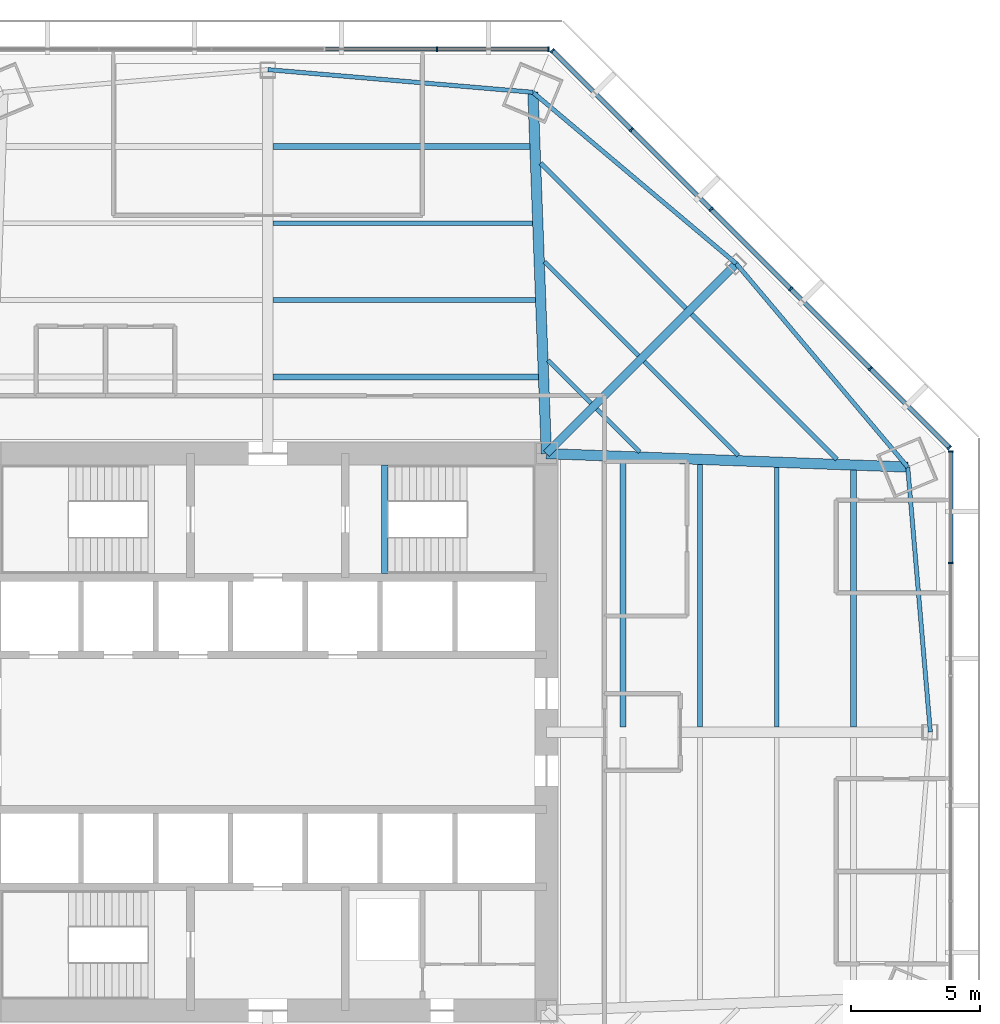
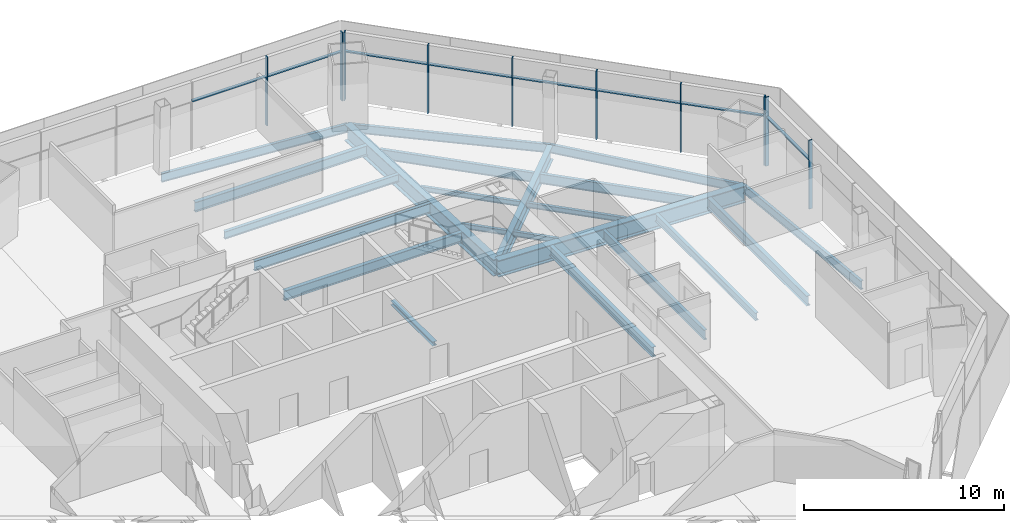
# One storey, part 6 of 14: 22 beams, 18 members, 3 elements without a shape of their own.
"""IFC4 building model written with IfcOpenShell, lengths in metres."""

from ifc_helpers import new_model, si_unit, direction, frame, origin, origin_2d, place, context, subcontext, project, spatial, rectangle, i_section, extrude, source, transform, mapped, material, material_profile, profile_set, type_object, type_shapes, element, aggregate, save


model = new_model("IFC4")

# Units and contexts
model_context = context("Model", 3, precision=1e-05, world=origin(), true_north=direction((0.0, 1.0)))
body_context = subcontext(model_context, "Body", "Model", "MODEL_VIEW")
ifc_project = project(units=[si_unit("LENGTHUNIT", "METRE"), si_unit("AREAUNIT", "SQUARE_METRE"), si_unit("VOLUMEUNIT", "CUBIC_METRE"), si_unit("PLANEANGLEUNIT", "RADIAN"), si_unit("MASSUNIT", "GRAM", prefix="KILO")], contexts=[model_context])

# Site, building, storey
site_placement = place(None, origin())
site = spatial("IfcSite", under=ifc_project, at=site_placement, CompositionType="ELEMENT")
building_placement = place(site_placement, origin())
building = spatial("IfcBuilding", under=site, at=building_placement, Name="Mashrafa Tower", CompositionType="ELEMENT")
storey_placement = place(building_placement, frame((0.0, 0.0, 54.0)))
storey = spatial("IfcBuildingStorey", under=building, at=storey_placement, Name="L11", CompositionType="ELEMENT", Elevation=54.0)

# Beams
ifc_material_1 = material(Name="Steel ASTM A992", Category="steel")
ifc_material_profile_1 = material_profile(ifc_material_1, i_section(OverallWidth=0.164794921875, OverallDepth=0.309814453125, WebThickness=0.005859375, FlangeThickness=0.009765625, FilletRadius=0.007568359375, at=origin_2d()), Name="W12X26")
ifc_profile_set_1 = profile_set([ifc_material_profile_1], Name="Steel ASTM A992")
beam_type_1 = type_object("IfcBeamType", Name="Beam W12X26", PredefinedType="BEAM", material=ifc_profile_set_1)
beam_1_placement = place(storey_placement, frame((10.7236328125, 18.2431640625, -0.31982421875), z_axis=(0.707106781187, -0.707106781187, 0.0), x_axis=(0.707106781187, 0.707106781187, 0.0)))
element("IfcBeam", 1, at=beam_1_placement, inside=storey, type_object=beam_type_1, Name="Floor beam L11 036", PredefinedType="BEAM", context=body_context, shape_type="SweptSolid", body=[
    extrude(i_section(OverallWidth=0.164794921875, OverallDepth=0.309814453125, WebThickness=0.005859375, FlangeThickness=0.009765625, FilletRadius=0.007568359375, at=origin_2d()), origin(), (0.0, 0.0, 1.0), 5.16357421875),
])
for number, where, z_axis, x_axis, name in (
    (2, (10.8662109375, 14.417236328125, -0.31982421875), (0.707106781187, -0.707106781187, 0.0), (0.707106781187, 0.707106781187, 0.0), "Floor beam L11 038"),
    (3, (12.75048828125, 12.532958984375, -0.31982421875), (0.707106781187, -0.707106781187, 0.0), (0.707106781187, 0.707106781187, 0.0), "Floor beam L11 041"),
):
    element("IfcBeam", number, at=place(storey_placement, frame(where, z_axis=z_axis, x_axis=x_axis)), inside=storey, type_object=beam_type_1, Name=name, PredefinedType="BEAM", context=body_context, shape_type="SweptSolid", body=[
        extrude(i_section(OverallWidth=0.164794921875, OverallDepth=0.309814453125, WebThickness=0.005859375, FlangeThickness=0.009765625, FilletRadius=0.007568359375, at=origin_2d()), origin(), (0.0, 0.0, 1.0), 2.357177734375),
    ])
beam_2_placement = place(storey_placement, frame((14.592041015625, 14.374755859375, -0.31982421875), z_axis=(0.707106781187, -0.707106781187, 0.0), x_axis=(0.707106781187, 0.707106781187, 0.0)))
element("IfcBeam", 4, at=beam_2_placement, inside=storey, type_object=beam_type_1, Name="Floor beam L11 045", PredefinedType="BEAM", context=body_context, shape_type="SweptSolid", body=[
    extrude(i_section(OverallWidth=0.164794921875, OverallDepth=0.309814453125, WebThickness=0.005859375, FlangeThickness=0.009765625, FilletRadius=0.007568359375, at=origin_2d()), origin(), (0.0, 0.0, 1.0), 5.16357421875),
])
ifc_material_2 = material(Name="Steel ASTM A992", Category="steel")
ifc_material_profile_2 = material_profile(ifc_material_2, i_section(OverallWidth=0.191162109375, OverallDepth=0.459716796875, WebThickness=0.010009765625, FlangeThickness=0.01611328125, FilletRadius=0.01025390625, at=origin_2d()), Name="W18X55")
ifc_profile_set_2 = profile_set([ifc_material_profile_2], Name="Steel ASTM A992")
beam_type_2 = type_object("IfcBeamType", Name="Beam W18X55", PredefinedType="BEAM", material=ifc_profile_set_2)
for number, where, z_axis, x_axis, name in (
    (5, (0.20458984375, 19.735107421875, -0.394775390625), (1.0, 0.0, 0.0), (0.0, 1.0, 0.0), "Floor beam L11 031"),
    (6, (19.735107421875, 10.266357421875, -0.394775390625), (0.0, -1.0, 0.0), (1.0, 0.0, 0.0), "Floor beam L11 053"),
):
    element("IfcBeam", number, at=place(storey_placement, frame(where, z_axis=z_axis, x_axis=x_axis)), inside=storey, type_object=beam_type_2, Name=name, PredefinedType="BEAM", context=body_context, shape_type="SweptSolid", body=[
        extrude(i_section(OverallWidth=0.191162109375, OverallDepth=0.459716796875, WebThickness=0.010009765625, FlangeThickness=0.01611328125, FilletRadius=0.01025390625, at=origin_2d()), origin(), (0.0, 0.0, 1.0), 10.061767578125),
    ])
ifc_material_3 = material(Name="Steel ASTM A992", Category="steel")
ifc_material_profile_3 = material_profile(ifc_material_3, i_section(OverallWidth=0.165771484375, OverallDepth=0.5283203125, WebThickness=0.009765625, FlangeThickness=0.013671875, FilletRadius=0.012939453125, at=origin_2d()), Name="W21X50")
ifc_profile_set_3 = profile_set([ifc_material_profile_3], Name="Steel ASTM A992")
beam_type_3 = type_object("IfcBeamType", Name="Beam W21X50", PredefinedType="BEAM", material=ifc_profile_set_3)
beam_3_placement = place(storey_placement, frame((10.278076171875, 24.813720703125, -0.42919921875), z_axis=(-0.996369742778, 0.085131284942, 0.0), x_axis=(-0.085131284942, -0.996369742778, 0.0)))
element("IfcBeam", 7, at=beam_3_placement, inside=storey, type_object=beam_type_3, Name="Spandrel beam L11 083", PredefinedType="BEAM", context=body_context, shape_type="SweptSolid", body=[
    extrude(i_section(OverallWidth=0.165771484375, OverallDepth=0.5283203125, WebThickness=0.009765625, FlangeThickness=0.013671875, FilletRadius=0.012939453125, at=origin_2d()), origin(), (0.0, 0.0, 1.0), 10.3154296875),
])
for number, where, z_axis, x_axis, name in (
    (8, (18.166748046875, 18.166748046875, -0.42919921875), (-0.764725820256, 0.644355817724, 0.0), (-0.644355817724, -0.764725820256, 0.0), "Spandrel beam L11 085"),
    (9, (24.813720703125, 10.278076171875, -0.42919921875), (-0.644355817724, 0.764725820256, 0.0), (-0.764725820256, -0.644355817724, 0.0), "Spandrel beam L11 087"),
):
    element("IfcBeam", number, at=place(storey_placement, frame(where, z_axis=z_axis, x_axis=x_axis)), inside=storey, type_object=beam_type_3, Name=name, PredefinedType="BEAM", context=body_context, shape_type="SweptSolid", body=[
        extrude(i_section(OverallWidth=0.165771484375, OverallDepth=0.5283203125, WebThickness=0.009765625, FlangeThickness=0.013671875, FilletRadius=0.012939453125, at=origin_2d()), origin(), (0.0, 0.0, 1.0), 10.315673828125),
    ])
beam_4_placement = place(storey_placement, frame((25.69189453125, 0.0, -0.42919921875), z_axis=(-0.085131284942, 0.996369742778, 0.0), x_axis=(-0.996369742778, -0.085131284942, 0.0)))
element("IfcBeam", 10, at=beam_4_placement, inside=storey, type_object=beam_type_3, Name="Spandrel beam L11 088", PredefinedType="BEAM", context=body_context, shape_type="SweptSolid", body=[
    extrude(i_section(OverallWidth=0.165771484375, OverallDepth=0.5283203125, WebThickness=0.009765625, FlangeThickness=0.013671875, FilletRadius=0.012939453125, at=origin_2d()), origin(), (0.0, 0.0, 1.0), 10.3154296875),
])
ifc_material_4 = material(Name="Steel ASTM A992", Category="steel")
ifc_material_profile_4 = material_profile(ifc_material_4, i_section(OverallWidth=0.177978515625, OverallDepth=0.599365234375, WebThickness=0.010009765625, FlangeThickness=0.012939453125, FilletRadius=0.012939453125, at=origin_2d()), Name="W24X55")
ifc_profile_set_4 = profile_set([ifc_material_profile_4], Name="Steel ASTM A992")
beam_type_4 = type_object("IfcBeamType", Name="Beam W24X55", PredefinedType="BEAM", material=ifc_profile_set_4)
beam_5_placement = place(storey_placement, frame((0.20458984375, 16.756591796875, -0.464599609375), z_axis=(1.0, 0.0, 0.0), x_axis=(0.0, 1.0, 0.0)))
element("IfcBeam", 11, at=beam_5_placement, inside=storey, type_object=beam_type_4, Name="Floor beam L11 030", PredefinedType="BEAM", context=body_context, shape_type="SweptSolid", body=[
    extrude(i_section(OverallWidth=0.177978515625, OverallDepth=0.599365234375, WebThickness=0.010009765625, FlangeThickness=0.012939453125, FilletRadius=0.012939453125, at=origin_2d()), origin(), (0.0, 0.0, 1.0), 10.1728515625),
])
for number, where, z_axis, x_axis, name in (
    (12, (10.5810546875, 22.069091796875, -0.464599609375), (0.707106781187, -0.707106781187, 0.0), (0.707106781187, 0.707106781187, 0.0), "Floor beam L11 034"),
    (13, (16.433837890625, 16.21630859375, -0.464599609375), (0.707106781187, -0.707106781187, 0.0), (0.707106781187, 0.707106781187, 0.0), "Floor beam L11 048"),
):
    element("IfcBeam", number, at=place(storey_placement, frame(where, z_axis=z_axis, x_axis=x_axis)), inside=storey, type_object=beam_type_4, Name=name, PredefinedType="BEAM", context=body_context, shape_type="SweptSolid", body=[
        extrude(i_section(OverallWidth=0.177978515625, OverallDepth=0.599365234375, WebThickness=0.010009765625, FlangeThickness=0.012939453125, FilletRadius=0.012939453125, at=origin_2d()), origin(), (0.0, 0.0, 1.0), 7.969482421875),
    ])
beam_6_placement = place(storey_placement, frame((16.756591796875, 10.37744140625, -0.464599609375), z_axis=(0.0, -1.0, 0.0), x_axis=(1.0, 0.0, 0.0)))
element("IfcBeam", 14, at=beam_6_placement, inside=storey, type_object=beam_type_4, Name="Floor beam L11 050", PredefinedType="BEAM", context=body_context, shape_type="SweptSolid", body=[
    extrude(i_section(OverallWidth=0.177978515625, OverallDepth=0.599365234375, WebThickness=0.010009765625, FlangeThickness=0.012939453125, FilletRadius=0.012939453125, at=origin_2d()), origin(), (0.0, 0.0, 1.0), 10.1728515625),
])
ifc_material_5 = material(Name="Steel ASTM A992", Category="steel")
ifc_material_profile_5 = material_profile(ifc_material_5, i_section(OverallWidth=0.227783203125, OverallDepth=0.60205078125, WebThickness=0.010498046875, FlangeThickness=0.014892578125, FilletRadius=0.012939453125, at=origin_2d()), Name="W24X68")
ifc_profile_set_5 = profile_set([ifc_material_profile_5], Name="Steel ASTM A992")
beam_type_5 = type_object("IfcBeamType", Name="Beam W24X68", PredefinedType="BEAM", material=ifc_profile_set_5)
for number, where, z_axis, x_axis, name in (
    (15, (0.20458984375, 13.7783203125, -0.466064453125), (1.0, 0.0, 0.0), (0.0, 1.0, 0.0), "Floor beam L11 029"),
    (16, (13.7783203125, 10.48828125, -0.466064453125), (0.0, -1.0, 0.0), (1.0, 0.0, 0.0), "Floor beam L11 043"),
):
    element("IfcBeam", number, at=place(storey_placement, frame(where, z_axis=z_axis, x_axis=x_axis)), inside=storey, type_object=beam_type_5, Name=name, PredefinedType="BEAM", context=body_context, shape_type="SweptSolid", body=[
        extrude(i_section(OverallWidth=0.227783203125, OverallDepth=0.60205078125, WebThickness=0.010498046875, FlangeThickness=0.014892578125, FilletRadius=0.012939453125, at=origin_2d()), origin(), (0.0, 0.0, 1.0), 10.28369140625),
    ])
ifc_material_6 = material(Name="Steel ASTM A992", Category="steel")
ifc_material_profile_6 = material_profile(ifc_material_6, i_section(OverallWidth=0.228271484375, OverallDepth=0.607177734375, WebThickness=0.01123046875, FlangeThickness=0.017333984375, FilletRadius=0.0126953125, at=origin_2d()), Name="W24X76")
ifc_profile_set_6 = profile_set([ifc_material_profile_6], Name="Steel ASTM A992")
beam_type_6 = type_object("IfcBeamType", Name="Beam W24X76", PredefinedType="BEAM", material=ifc_profile_set_6)
for number, where, z_axis, x_axis, name in (
    (17, (0.20458984375, 22.71337890625, -0.468505859375), (1.0, 0.0, 0.0), (0.0, 1.0, 0.0), "Floor beam L11 032"),
    (18, (22.71337890625, 10.155517578125, -0.468505859375), (0.0, -1.0, 0.0), (1.0, 0.0, 0.0), "Floor beam L11 056"),
):
    element("IfcBeam", number, at=place(storey_placement, frame(where, z_axis=z_axis, x_axis=x_axis)), inside=storey, type_object=beam_type_6, Name=name, PredefinedType="BEAM", context=body_context, shape_type="SweptSolid", body=[
        extrude(i_section(OverallWidth=0.228271484375, OverallDepth=0.607177734375, WebThickness=0.01123046875, FlangeThickness=0.017333984375, FilletRadius=0.0126953125, at=origin_2d()), origin(), (0.0, 0.0, 1.0), 9.950927734375),
    ])
ifc_material_7 = material(Name="Steel ASTM A992", Category="steel")
ifc_material_profile_7 = material_profile(ifc_material_7, i_section(OverallWidth=0.307373046875, OverallDepth=0.927001953125, WebThickness=0.01953125, FlangeThickness=0.031982421875, FilletRadius=0.01904296875, at=origin_2d()), Name="W36X194")
ifc_profile_set_7 = profile_set([ifc_material_profile_7], Name="Steel ASTM A992")
beam_type_7 = type_object("IfcBeamType", Name="Beam W36X194", PredefinedType="BEAM", material=ifc_profile_set_7)
beam_7_placement = place(storey_placement, frame((10.800048828125, 10.800048828125, -0.628662109375), z_axis=(0.707106781187, 0.707106781187, 0.0), x_axis=(-0.707106781187, 0.707106781187, 0.0)))
element("IfcBeam", 19, at=beam_7_placement, inside=storey, type_object=beam_type_7, Name="Radial girder L11 071", PredefinedType="BEAM", context=body_context, shape_type="SweptSolid", body=[
    extrude(i_section(OverallWidth=0.307373046875, OverallDepth=0.927001953125, WebThickness=0.01953125, FlangeThickness=0.031982421875, FilletRadius=0.01904296875, at=origin_2d()), origin(), (0.0, 0.0, 1.0), 10.41796875),
])
ifc_material_8 = material(Name="Steel ASTM A992", Category="steel")
ifc_material_profile_8 = material_profile(ifc_material_8, i_section(OverallWidth=0.4013671875, OverallDepth=1.010986328125, WebThickness=0.023681640625, FlangeThickness=0.0419921875, FilletRadius=0.02001953125, at=origin_2d()), Name="W40X297")
ifc_profile_set_8 = profile_set([ifc_material_profile_8], Name="Steel ASTM A992")
beam_type_8 = type_object("IfcBeamType", Name="Beam W40X297", PredefinedType="BEAM", material=ifc_profile_set_8)
for number, where, z_axis, x_axis, name in (
    (20, (10.800048828125, 10.800048828125, -0.67041015625), (-0.037221575701, 0.999307037052, 0.0), (-0.999307037052, -0.037221575701, 0.0), "Radial girder L11 070"),
    (21, (10.800048828125, 10.800048828125, -0.67041015625), (0.999307037052, -0.037221575701, 0.0), (0.037221575701, 0.999307037052, 0.0), "Radial girder L11 072"),
):
    element("IfcBeam", number, at=place(storey_placement, frame(where, z_axis=z_axis, x_axis=x_axis)), inside=storey, type_object=beam_type_8, Name=name, PredefinedType="BEAM", context=body_context, shape_type="SweptSolid", body=[
        extrude(i_section(OverallWidth=0.4013671875, OverallDepth=1.010986328125, WebThickness=0.023681640625, FlangeThickness=0.0419921875, FilletRadius=0.02001953125, at=origin_2d()), origin(), (0.0, 0.0, 1.0), 14.0234375),
    ])
ifc_material_9 = material(Name="Steel ASTM A992", Category="steel")
ifc_material_profile_9 = material_profile(ifc_material_9, i_section(OverallWidth=0.25390625, OverallDepth=0.25390625, WebThickness=0.008544921875, FlangeThickness=0.01416015625, FilletRadius=0.010009765625, at=origin_2d()), Name="W10X49")
ifc_profile_set_9 = profile_set([ifc_material_profile_9], Name="Steel ASTM A992")
beam_type_9 = type_object("IfcBeamType", Name="Hoistway beam W10X49", PredefinedType="BEAM", material=ifc_profile_set_9)
beam_8_placement = place(storey_placement, frame((4.530029296875, 6.14990234375, -0.326904296875), z_axis=(0.0, 1.0, 0.0), x_axis=(-1.0, 0.0, 0.0)))
element("IfcBeam", 22, at=beam_8_placement, inside=storey, type_object=beam_type_9, Name="Stair S2 landing beam L11", PredefinedType="BEAM", context=body_context, shape_type="SweptSolid", body=[
    extrude(i_section(OverallWidth=0.25390625, OverallDepth=0.25390625, WebThickness=0.008544921875, FlangeThickness=0.01416015625, FilletRadius=0.010009765625, at=origin_2d()), origin(), (0.0, 0.0, 1.0), 4.2001953125),
])

# Curtain wall, members
ifc_material_10 = material(Name="Unitised aluminium curtain wall", Category="aluminium")
curtain_wall_type = type_object("IfcCurtainWallType", Name="Office curtain wall, zone 1 CW-A 200 deep", PredefinedType="NOTDEFINED", material=ifc_material_10)
curtain_wall_1_placement = place(storey_placement, origin())
curtain_wall_1 = element("IfcCurtainWall", 23, at=curtain_wall_1_placement, inside=storey, type_object=curtain_wall_type, Name="Office curtain wall, zone 1 L11 east", PredefinedType="NOTDEFINED")
ifc_material_11 = material(Name="Extruded aluminium mullion", Category="aluminium")
ifc_material_profile_10 = material_profile(ifc_material_11, rectangle(XDim=0.199951171875, YDim=0.06494140625, at=origin_2d()), Name="Mullion 65x200")
ifc_profile_set_10 = profile_set([ifc_material_profile_10], Name="Extruded aluminium mullion")
member_type_1 = type_object("IfcMemberType", Name="Mullion CW-A 65 x 200", PredefinedType="MULLION", material=ifc_profile_set_10)
shared_shape_1 = source(origin(), body_context, "Body", "SweptSolid", [
    extrude(rectangle(XDim=0.199951171875, YDim=0.06494140625, at=origin_2d()), origin(), (0.0, 0.0, 1.0), 4.199951171875),
])
type_shapes(member_type_1, [shared_shape_1])
member_1_placement = place(storey_placement, frame((26.487060546875, 6.552001953125, 0.0), z_axis=(0.0, 0.0, 1.0), x_axis=(-1.0, 0.0, 0.0)))
member_1 = element("IfcMember", 24, at=member_1_placement, type_object=member_type_1, Name="CW-A mullion 5", PredefinedType="MULLION", context=body_context, shape_type="MappedRepresentation", body=[
    mapped(shared_shape_1, transform((0.0, 0.0, 0.0))),
])
member_2_placement = place(storey_placement, frame((26.487060546875, 10.887451171875, 0.0), z_axis=(0.0, 0.0, 1.0), x_axis=(-1.0, 0.0, 0.0)))
member_2 = element("IfcMember", 25, at=member_2_placement, type_object=member_type_1, Name="CW-A mullion 6", PredefinedType="MULLION", context=body_context, shape_type="MappedRepresentation", body=[
    mapped(shared_shape_1, transform((0.0, 0.0, 0.0))),
])

curtain_wall_2_placement = place(storey_placement, origin())
curtain_wall_2 = element("IfcCurtainWall", 26, at=curtain_wall_2_placement, inside=storey, type_object=curtain_wall_type, Name="Office curtain wall, zone 1 L11 north-east", PredefinedType="NOTDEFINED")
member_3_placement = place(storey_placement, frame((26.427734375, 11.03076171875, 0.0), z_axis=(0.0, 0.0, 1.0), x_axis=(-0.707106781187, -0.707106781187, 0.0)))
member_3 = element("IfcMember", 27, at=member_3_placement, type_object=member_type_1, Name="CW-A mullion 1", PredefinedType="MULLION", context=body_context, shape_type="MappedRepresentation", body=[
    mapped(shared_shape_1, transform((0.0, 0.0, 0.0))),
])
member_4_placement = place(storey_placement, frame((23.362060546875, 14.09619140625, 0.0), z_axis=(0.0, 0.0, 1.0), x_axis=(-0.707106781187, -0.707106781187, 0.0)))
member_4 = element("IfcMember", 28, at=member_4_placement, type_object=member_type_1, Name="CW-A mullion 2", PredefinedType="MULLION", context=body_context, shape_type="MappedRepresentation", body=[
    mapped(shared_shape_1, transform((0.0, 0.0, 0.0))),
])
member_5_placement = place(storey_placement, frame((20.2734375, 17.184814453125, 0.0), z_axis=(0.0, 0.0, 1.0), x_axis=(-0.707106781187, -0.707106781187, 0.0)))
member_5 = element("IfcMember", 29, at=member_5_placement, type_object=member_type_1, Name="CW-A mullion 3", PredefinedType="MULLION", context=body_context, shape_type="MappedRepresentation", body=[
    mapped(shared_shape_1, transform((0.0, 0.0, 0.0))),
])
member_6_placement = place(storey_placement, frame((17.184814453125, 20.2734375, 0.0), z_axis=(0.0, 0.0, 1.0), x_axis=(-0.707106781187, -0.707106781187, 0.0)))
member_6 = element("IfcMember", 30, at=member_6_placement, type_object=member_type_1, Name="CW-A mullion 4", PredefinedType="MULLION", context=body_context, shape_type="MappedRepresentation", body=[
    mapped(shared_shape_1, transform((0.0, 0.0, 0.0))),
])
member_7_placement = place(storey_placement, frame((14.09619140625, 23.362060546875, 0.0), z_axis=(0.0, 0.0, 1.0), x_axis=(-0.707106781187, -0.707106781187, 0.0)))
member_7 = element("IfcMember", 31, at=member_7_placement, type_object=member_type_1, Name="CW-A mullion 5", PredefinedType="MULLION", context=body_context, shape_type="MappedRepresentation", body=[
    mapped(shared_shape_1, transform((0.0, 0.0, 0.0))),
])
member_8_placement = place(storey_placement, frame((11.03076171875, 26.427734375, 0.0), z_axis=(0.0, 0.0, 1.0), x_axis=(-0.707106781187, -0.707106781187, 0.0)))
member_8 = element("IfcMember", 32, at=member_8_placement, type_object=member_type_1, Name="CW-A mullion 6", PredefinedType="MULLION", context=body_context, shape_type="MappedRepresentation", body=[
    mapped(shared_shape_1, transform((0.0, 0.0, 0.0))),
])

curtain_wall_3_placement = place(storey_placement, origin())
curtain_wall_3 = element("IfcCurtainWall", 33, at=curtain_wall_3_placement, inside=storey, type_object=curtain_wall_type, Name="Office curtain wall, zone 1 L11 north", PredefinedType="NOTDEFINED")
member_9_placement = place(storey_placement, frame((10.887451171875, 26.487060546875, 0.0), z_axis=(0.0, 0.0, 1.0), x_axis=(0.0, -1.0, 0.0)))
member_9 = element("IfcMember", 34, at=member_9_placement, type_object=member_type_1, Name="CW-A mullion 1", PredefinedType="MULLION", context=body_context, shape_type="MappedRepresentation", body=[
    mapped(shared_shape_1, transform((0.0, 0.0, 0.0))),
])
member_10_placement = place(storey_placement, frame((6.552001953125, 26.487060546875, 0.0), z_axis=(0.0, 0.0, 1.0), x_axis=(0.0, -1.0, 0.0)))
member_10 = element("IfcMember", 35, at=member_10_placement, type_object=member_type_1, Name="CW-A mullion 2", PredefinedType="MULLION", context=body_context, shape_type="MappedRepresentation", body=[
    mapped(shared_shape_1, transform((0.0, 0.0, 0.0))),
])

# Member
ifc_material_12 = material(Name="Extruded aluminium transom", Category="aluminium")
ifc_material_profile_11 = material_profile(ifc_material_12, rectangle(XDim=0.159912109375, YDim=0.080078125, at=origin_2d()), Name="Transom 80x160")
ifc_profile_set_11 = profile_set([ifc_material_profile_11], Name="Extruded aluminium transom")
member_type_2 = type_object("IfcMemberType", Name="Transom CW-A 80 x 160", PredefinedType="MULLION", material=ifc_profile_set_11)
shared_shape_2 = source(origin(), body_context, "Body", "SweptSolid", [
    extrude(rectangle(XDim=0.159912109375, YDim=0.080078125, at=origin_2d()), origin(), (0.0, 0.0, 1.0), 4.2705078125),
])
member_11_placement = place(storey_placement, frame((26.487060546875, 6.58447265625, 3.0), z_axis=(0.0, 1.0, 0.0), x_axis=(-1.0, 0.0, 0.0)))
member_11 = element("IfcMember", 36, at=member_11_placement, type_object=member_type_2, Name="CW-A transom 5", PredefinedType="MULLION", context=body_context, shape_type="MappedRepresentation", body=[
    mapped(shared_shape_2, transform((0.0, 0.0, 0.0))),
])

aggregate(curtain_wall_1, [member_1, member_2, member_11])

member_12_placement = place(storey_placement, frame((10.85498046875, 26.487060546875, 3.0), z_axis=(-1.0, 0.0, 0.0), x_axis=(0.0, -1.0, 0.0)))
member_12 = element("IfcMember", 37, at=member_12_placement, type_object=member_type_2, Name="CW-A transom 1", PredefinedType="MULLION", context=body_context, shape_type="MappedRepresentation", body=[
    mapped(shared_shape_2, transform((0.0, 0.0, 0.0))),
])

shared_shape_3 = source(origin(), body_context, "Body", "SweptSolid", [
    extrude(rectangle(XDim=0.159912109375, YDim=0.080078125, at=origin_2d()), origin(), (0.0, 0.0, 1.0), 4.302978515625),
])
member_13_placement = place(storey_placement, frame((6.51953125, 26.487060546875, 3.0), z_axis=(-1.0, 0.0, 0.0), x_axis=(0.0, -1.0, 0.0)))
member_13 = element("IfcMember", 38, at=member_13_placement, type_object=member_type_2, Name="CW-A transom 2", PredefinedType="MULLION", context=body_context, shape_type="MappedRepresentation", body=[
    mapped(shared_shape_3, transform((0.0, 0.0, 0.0))),
])

aggregate(curtain_wall_3, [member_9, member_10, member_12, member_13])

shared_shape_4 = source(origin(), body_context, "Body", "SweptSolid", [
    extrude(rectangle(XDim=0.159912109375, YDim=0.080078125, at=origin_2d()), origin(), (0.0, 0.0, 1.0), 4.302734375),
])
member_14_placement = place(storey_placement, frame((23.339111328125, 14.119384765625, 3.0), z_axis=(-0.707106781187, 0.707106781187, 0.0), x_axis=(-0.707106781187, -0.707106781187, 0.0)))
member_14 = element("IfcMember", 39, at=member_14_placement, type_object=member_type_2, Name="CW-A transom 2", PredefinedType="MULLION", context=body_context, shape_type="MappedRepresentation", body=[
    mapped(shared_shape_4, transform((0.0, 0.0, 0.0))),
])

member_15_placement = place(storey_placement, frame((20.25048828125, 17.2080078125, 3.0), z_axis=(-0.707106781187, 0.707106781187, 0.0), x_axis=(-0.707106781187, -0.707106781187, 0.0)))
member_15 = element("IfcMember", 40, at=member_15_placement, type_object=member_type_2, Name="CW-A transom 3", PredefinedType="MULLION", context=body_context, shape_type="MappedRepresentation", body=[
    mapped(shared_shape_4, transform((0.0, 0.0, 0.0))),
])

member_16_placement = place(storey_placement, frame((17.161865234375, 20.296630859375, 3.0), z_axis=(-0.707106781187, 0.707106781187, 0.0), x_axis=(-0.707106781187, -0.707106781187, 0.0)))
member_16 = element("IfcMember", 41, at=member_16_placement, type_object=member_type_2, Name="CW-A transom 4", PredefinedType="MULLION", context=body_context, shape_type="MappedRepresentation", body=[
    mapped(shared_shape_4, transform((0.0, 0.0, 0.0))),
])

shared_shape_5 = source(origin(), body_context, "Body", "SweptSolid", [
    extrude(rectangle(XDim=0.159912109375, YDim=0.080078125, at=origin_2d()), origin(), (0.0, 0.0, 1.0), 4.270263671875),
])
type_shapes(member_type_2, [shared_shape_2, shared_shape_3, shared_shape_4, shared_shape_5])
member_17_placement = place(storey_placement, frame((26.40478515625, 11.0537109375, 3.0), z_axis=(-0.707106781187, 0.707106781187, 0.0), x_axis=(-0.707106781187, -0.707106781187, 0.0)))
member_17 = element("IfcMember", 42, at=member_17_placement, type_object=member_type_2, Name="CW-A transom 1", PredefinedType="MULLION", context=body_context, shape_type="MappedRepresentation", body=[
    mapped(shared_shape_5, transform((0.0, 0.0, 0.0))),
])

member_18_placement = place(storey_placement, frame((14.0732421875, 23.38525390625, 3.0), z_axis=(-0.707106781187, 0.707106781187, 0.0), x_axis=(-0.707106781187, -0.707106781187, 0.0)))
member_18 = element("IfcMember", 43, at=member_18_placement, type_object=member_type_2, Name="CW-A transom 5", PredefinedType="MULLION", context=body_context, shape_type="MappedRepresentation", body=[
    mapped(shared_shape_5, transform((0.0, 0.0, 0.0))),
])

aggregate(curtain_wall_2, [member_3, member_4, member_5, member_6, member_7, member_8, member_17, member_14, member_15, member_16, member_18])

save(model, "model.ifc")
